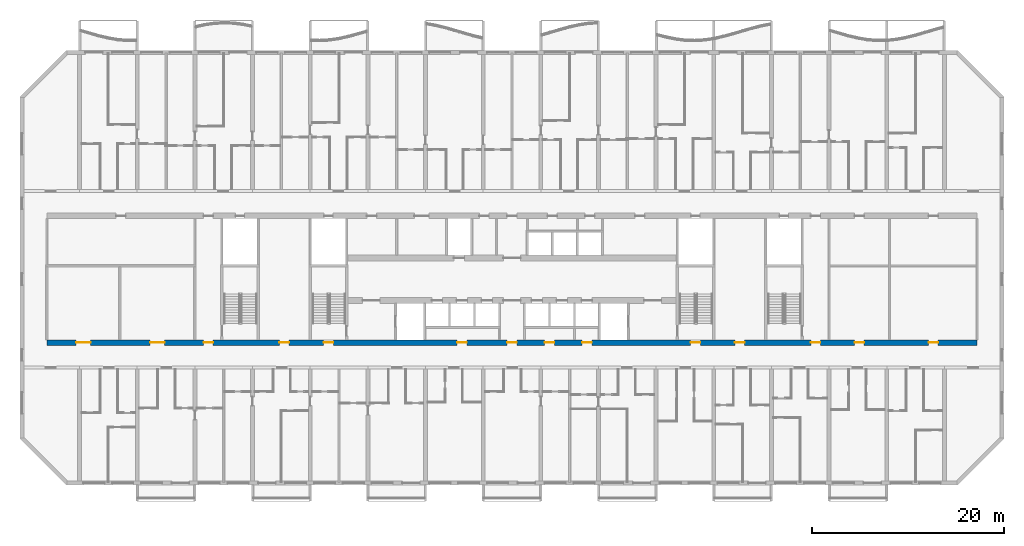
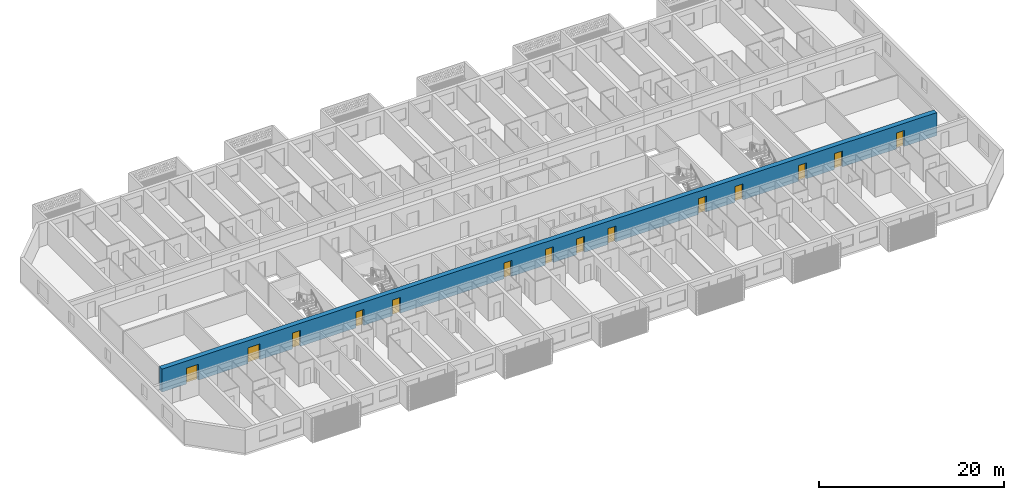
# One storey, part 7 of 38: 14 doors, 1 wall, 14 openings.
"""IFC4 building model written with IfcOpenShell, lengths in metres."""

from ifc_helpers import new_model, si_unit, direction, frame, frame_2d, origin, place, context, subcontext, project, spatial, rectangle, extrude, material, layer, layer_set, type_object, element, fill, save


model = new_model("IFC4")

# Units and contexts
model_context = context("Model", 3, precision=1e-05, world=origin(), true_north=direction((0.0, 1.0)))
body_context = subcontext(model_context, "Body", "Model", "MODEL_VIEW")
ifc_project = project(units=[si_unit("LENGTHUNIT", "METRE"), si_unit("AREAUNIT", "SQUARE_METRE"), si_unit("VOLUMEUNIT", "CUBIC_METRE"), si_unit("PLANEANGLEUNIT", "RADIAN"), si_unit("MASSUNIT", "GRAM", prefix="KILO")], contexts=[model_context])

# Site, building, storey
site_placement = place(None, origin())
site = spatial("IfcSite", under=ifc_project, at=site_placement, CompositionType="ELEMENT")
building_placement = place(site_placement, origin())
building = spatial("IfcBuilding", under=site, at=building_placement, Name="Poui Terraces", CompositionType="ELEMENT")
storey_placement = place(building_placement, frame((0.0, 0.0, 43.199951171875)))
storey = spatial("IfcBuildingStorey", under=building, at=storey_placement, Name="L11", CompositionType="ELEMENT", Elevation=43.199951171875)

# Wall, openings, doors
ifc_material_1 = material(Name="Concrete 80 MPa", Category="concrete")
ifc_layer = layer(ifc_material_1, 0.60009765625)
ifc_layer_set = layer_set([ifc_layer], Name="Concrete 80 MPa")
wall_type = type_object("IfcWallType", Name="SPINE WALL 600 80 MPA", PredefinedType="SOLIDWALL", material=ifc_layer_set)
wall_placement = place(storey_placement, frame((2.60009765625, 14.60009765625, 0.0), z_axis=(0.0, 0.0, 1.0), x_axis=(1.0, 0.0, 0.0)))
wall = element("IfcWall", 1, at=wall_placement, inside=storey, type_object=wall_type, Name="SPINE WALL", PredefinedType="SOLIDWALL", context=body_context, shape_type="SweptSolid", body=[
    extrude(rectangle(XDim=96.7998046875, YDim=0.60009765625, at=frame_2d((48.39990234375, 0.0))), origin(), (0.0, 0.0, 1.0), 3.050048828125),
])
opening_1_placement = place(wall_placement, frame((3.050048828125, 0.0, 0.0)))
opening_1 = element("IfcOpeningElement", 2, at=opening_1_placement, cuts=wall, Name="Opening FDP", PredefinedType="OPENING", context=body_context, shape_type="SweptSolid", body=[
    extrude(rectangle(XDim=1.5, YDim=2.10009765625, at=frame_2d((0.75, 1.050048828125))), frame((0.0, 0.31005859375, 0.0), z_axis=(0.0, -1.0, 0.0), x_axis=(1.0, 0.0, 0.0)), (0.0, 0.0, 1.0), 0.6201171875),
])
opening_2_placement = place(wall_placement, frame((10.75, 0.0, 0.0)))
opening_2 = element("IfcOpeningElement", 3, at=opening_2_placement, cuts=wall, Name="Opening FDP", PredefinedType="OPENING", context=body_context, shape_type="SweptSolid", body=[
    extrude(rectangle(XDim=1.5, YDim=2.10009765625, at=frame_2d((0.75, 1.050048828125))), frame((0.0, 0.31005859375, 0.0), z_axis=(0.0, -1.0, 0.0), x_axis=(1.0, 0.0, 0.0)), (0.0, 0.0, 1.0), 0.6201171875),
])
opening_3_placement = place(wall_placement, frame((16.300048828125, 0.0, 0.0)))
opening_3 = element("IfcOpeningElement", 4, at=opening_3_placement, cuts=wall, Name="Opening FDL", PredefinedType="OPENING", context=body_context, shape_type="SweptSolid", body=[
    extrude(rectangle(XDim=1.0, YDim=2.10009765625, at=frame_2d((0.5, 1.050048828125))), frame((0.0, 0.31005859375, 0.0), z_axis=(0.0, -1.0, 0.0), x_axis=(1.0, 0.0, 0.0)), (0.0, 0.0, 1.0), 0.6201171875),
])
opening_4_placement = place(wall_placement, frame((24.199951171875, 0.0, 0.0)))
opening_4 = element("IfcOpeningElement", 5, at=opening_4_placement, cuts=wall, Name="Opening D100", PredefinedType="OPENING", context=body_context, shape_type="SweptSolid", body=[
    extrude(rectangle(XDim=1.0, YDim=2.10009765625, at=frame_2d((0.5, 1.050048828125))), frame((0.0, 0.31005859375, 0.0), z_axis=(0.0, -1.0, 0.0), x_axis=(1.0, 0.0, 0.0)), (0.0, 0.0, 1.0), 0.6201171875),
])
opening_5_placement = place(wall_placement, frame((28.800048828125, 0.0, 0.0)))
opening_5 = element("IfcOpeningElement", 6, at=opening_5_placement, cuts=wall, Name="Opening FD60S", PredefinedType="OPENING", context=body_context, shape_type="SweptSolid", body=[
    extrude(rectangle(XDim=1.0, YDim=2.10009765625, at=frame_2d((0.5, 1.050048828125))), frame((0.0, 0.31005859375, 0.0), z_axis=(0.0, -1.0, 0.0), x_axis=(1.0, 0.0, 0.0)), (0.0, 0.0, 1.0), 0.6201171875),
])
opening_6_placement = place(wall_placement, frame((42.699951171875, 0.0, 0.0)))
opening_6 = element("IfcOpeningElement", 7, at=opening_6_placement, cuts=wall, Name="Opening FD60", PredefinedType="OPENING", context=body_context, shape_type="SweptSolid", body=[
    extrude(rectangle(XDim=1.0, YDim=2.10009765625, at=frame_2d((0.5, 1.050048828125))), frame((0.0, 0.31005859375, 0.0), z_axis=(0.0, -1.0, 0.0), x_axis=(1.0, 0.0, 0.0)), (0.0, 0.0, 1.0), 0.6201171875),
])
opening_7_placement = place(wall_placement, frame((47.89990234375, 0.0, 0.0)))
opening_7 = element("IfcOpeningElement", 8, at=opening_7_placement, cuts=wall, Name="Opening FDL", PredefinedType="OPENING", context=body_context, shape_type="SweptSolid", body=[
    extrude(rectangle(XDim=1.0, YDim=2.10009765625, at=frame_2d((0.5, 1.050048828125))), frame((0.0, 0.31005859375, 0.0), z_axis=(0.0, -1.0, 0.0), x_axis=(1.0, 0.0, 0.0)), (0.0, 0.0, 1.0), 0.6201171875),
])
opening_8_placement = place(wall_placement, frame((51.800048828125, 0.0, 0.0)))
opening_8 = element("IfcOpeningElement", 9, at=opening_8_placement, cuts=wall, Name="Opening FD60", PredefinedType="OPENING", context=body_context, shape_type="SweptSolid", body=[
    extrude(rectangle(XDim=1.0, YDim=2.10009765625, at=frame_2d((0.5, 1.050048828125))), frame((0.0, 0.31005859375, 0.0), z_axis=(0.0, -1.0, 0.0), x_axis=(1.0, 0.0, 0.0)), (0.0, 0.0, 1.0), 0.6201171875),
])
opening_9_placement = place(wall_placement, frame((55.699951171875, 0.0, 0.0)))
opening_9 = element("IfcOpeningElement", 10, at=opening_9_placement, cuts=wall, Name="Opening FD60", PredefinedType="OPENING", context=body_context, shape_type="SweptSolid", body=[
    extrude(rectangle(XDim=1.0, YDim=2.10009765625, at=frame_2d((0.5, 1.050048828125))), frame((0.0, 0.31005859375, 0.0), z_axis=(0.0, -1.0, 0.0), x_axis=(1.0, 0.0, 0.0)), (0.0, 0.0, 1.0), 0.6201171875),
])
opening_10_placement = place(wall_placement, frame((67.0, 0.0, 0.0)))
opening_10 = element("IfcOpeningElement", 11, at=opening_10_placement, cuts=wall, Name="Opening FD60S", PredefinedType="OPENING", context=body_context, shape_type="SweptSolid", body=[
    extrude(rectangle(XDim=1.0, YDim=2.10009765625, at=frame_2d((0.5, 1.050048828125))), frame((0.0, 0.31005859375, 0.0), z_axis=(0.0, -1.0, 0.0), x_axis=(1.0, 0.0, 0.0)), (0.0, 0.0, 1.0), 0.6201171875),
])
opening_11_placement = place(wall_placement, frame((71.60009765625, 0.0, 0.0)))
opening_11 = element("IfcOpeningElement", 12, at=opening_11_placement, cuts=wall, Name="Opening D100", PredefinedType="OPENING", context=body_context, shape_type="SweptSolid", body=[
    extrude(rectangle(XDim=1.0, YDim=2.10009765625, at=frame_2d((0.5, 1.050048828125))), frame((0.0, 0.31005859375, 0.0), z_axis=(0.0, -1.0, 0.0), x_axis=(1.0, 0.0, 0.0)), (0.0, 0.0, 1.0), 0.6201171875),
])
opening_12_placement = place(wall_placement, frame((79.5, 0.0, 0.0)))
opening_12 = element("IfcOpeningElement", 13, at=opening_12_placement, cuts=wall, Name="Opening FDL", PredefinedType="OPENING", context=body_context, shape_type="SweptSolid", body=[
    extrude(rectangle(XDim=1.0, YDim=2.10009765625, at=frame_2d((0.5, 1.050048828125))), frame((0.0, 0.31005859375, 0.0), z_axis=(0.0, -1.0, 0.0), x_axis=(1.0, 0.0, 0.0)), (0.0, 0.0, 1.0), 0.6201171875),
])
opening_13_placement = place(wall_placement, frame((84.050048828125, 0.0, 0.0)))
opening_13 = element("IfcOpeningElement", 14, at=opening_13_placement, cuts=wall, Name="Opening FD60", PredefinedType="OPENING", context=body_context, shape_type="SweptSolid", body=[
    extrude(rectangle(XDim=1.0, YDim=2.10009765625, at=frame_2d((0.5, 1.050048828125))), frame((0.0, 0.31005859375, 0.0), z_axis=(0.0, -1.0, 0.0), x_axis=(1.0, 0.0, 0.0)), (0.0, 0.0, 1.0), 0.6201171875),
])
opening_14_placement = place(wall_placement, frame((91.75, 0.0, 0.0)))
opening_14 = element("IfcOpeningElement", 15, at=opening_14_placement, cuts=wall, Name="Opening FD60", PredefinedType="OPENING", context=body_context, shape_type="SweptSolid", body=[
    extrude(rectangle(XDim=1.0, YDim=2.10009765625, at=frame_2d((0.5, 1.050048828125))), frame((0.0, 0.31005859375, 0.0), z_axis=(0.0, -1.0, 0.0), x_axis=(1.0, 0.0, 0.0)), (0.0, 0.0, 1.0), 0.6201171875),
])
ifc_material_2 = material(Name="Solid core timber door", Category="wood")
door_type_1 = type_object("IfcDoorType", Name="ACCESSIBLE INTERNAL DOOR 1000 X 2100", OperationType="NOTDEFINED", PredefinedType="DOOR", material=ifc_material_2)
door_1_placement = place(opening_4_placement, frame((1.0, 0.0, 0.0), z_axis=(0.0, 0.0, 1.0), x_axis=(-1.0, 0.0, 0.0)))
door_1 = element("IfcDoor", 16, at=door_1_placement, inside=storey, type_object=door_type_1, Name="ACCESSIBLE INTERNAL DOOR 020", OperationType="SINGLE_SWING_RIGHT", OverallHeight=2.10009765625, OverallWidth=1.0, PredefinedType="DOOR", context=body_context, shape_type="SweptSolid", body=[
    extrude(rectangle(XDim=1.0, YDim=2.10009765625, at=frame_2d((0.5, 1.050048828125))), frame((0.0, 0.02490234375, 0.0), z_axis=(0.0, -1.0, 0.0), x_axis=(1.0, 0.0, 0.0)), (0.0, 0.0, 1.0), 0.050048828125),
])
fill(opening_4, door_1)
door_2_placement = place(opening_11_placement, frame((1.0, 0.0, 0.0), z_axis=(0.0, 0.0, 1.0), x_axis=(-1.0, 0.0, 0.0)))
door_2 = element("IfcDoor", 17, at=door_2_placement, inside=storey, type_object=door_type_1, Name="ACCESSIBLE INTERNAL DOOR 027", OperationType="SINGLE_SWING_LEFT", OverallHeight=2.10009765625, OverallWidth=1.0, PredefinedType="DOOR", context=body_context, shape_type="SweptSolid", body=[
    extrude(rectangle(XDim=1.0, YDim=2.10009765625, at=frame_2d((0.5, 1.050048828125))), frame((0.0, 0.02490234375, 0.0), z_axis=(0.0, -1.0, 0.0), x_axis=(1.0, 0.0, 0.0)), (0.0, 0.0, 1.0), 0.050048828125),
])
fill(opening_11, door_2)
ifc_material_3 = material(Name="Steel fire door", Category="steel")
door_type_2 = type_object("IfcDoorType", Name="LOBBY FIRE DOOR 1000 X 2100", OperationType="NOTDEFINED", PredefinedType="DOOR", material=ifc_material_3)
door_3_placement = place(opening_3_placement, frame((1.0, 0.0, 0.0), z_axis=(0.0, 0.0, 1.0), x_axis=(-1.0, 0.0, 0.0)))
door_3 = element("IfcDoor", 18, at=door_3_placement, inside=storey, type_object=door_type_2, Name="LOBBY FIRE DOOR 019", OperationType="SINGLE_SWING_RIGHT", OverallHeight=2.10009765625, OverallWidth=1.0, PredefinedType="DOOR", context=body_context, shape_type="SweptSolid", body=[
    extrude(rectangle(XDim=1.0, YDim=2.10009765625, at=frame_2d((0.5, 1.050048828125))), frame((0.0, 0.02490234375, 0.0), z_axis=(0.0, -1.0, 0.0), x_axis=(1.0, 0.0, 0.0)), (0.0, 0.0, 1.0), 0.050048828125),
])
fill(opening_3, door_3)
door_4_placement = place(opening_7_placement, frame((1.0, 0.0, 0.0), z_axis=(0.0, 0.0, 1.0), x_axis=(-1.0, 0.0, 0.0)))
door_4 = element("IfcDoor", 19, at=door_4_placement, inside=storey, type_object=door_type_2, Name="LOBBY FIRE DOOR 023", OperationType="SINGLE_SWING_LEFT", OverallHeight=2.10009765625, OverallWidth=1.0, PredefinedType="DOOR", context=body_context, shape_type="SweptSolid", body=[
    extrude(rectangle(XDim=1.0, YDim=2.10009765625, at=frame_2d((0.5, 1.050048828125))), frame((0.0, 0.02490234375, 0.0), z_axis=(0.0, -1.0, 0.0), x_axis=(1.0, 0.0, 0.0)), (0.0, 0.0, 1.0), 0.050048828125),
])
fill(opening_7, door_4)
door_5_placement = place(opening_12_placement, frame((1.0, 0.0, 0.0), z_axis=(0.0, 0.0, 1.0), x_axis=(-1.0, 0.0, 0.0)))
door_5 = element("IfcDoor", 20, at=door_5_placement, inside=storey, type_object=door_type_2, Name="LOBBY FIRE DOOR 028", OperationType="SINGLE_SWING_LEFT", OverallHeight=2.10009765625, OverallWidth=1.0, PredefinedType="DOOR", context=body_context, shape_type="SweptSolid", body=[
    extrude(rectangle(XDim=1.0, YDim=2.10009765625, at=frame_2d((0.5, 1.050048828125))), frame((0.0, 0.02490234375, 0.0), z_axis=(0.0, -1.0, 0.0), x_axis=(1.0, 0.0, 0.0)), (0.0, 0.0, 1.0), 0.050048828125),
])
fill(opening_12, door_5)
door_type_3 = type_object("IfcDoorType", Name="PLANT ROOM DOOR PAIR 1500 X 2100", OperationType="DOUBLE_DOOR_SINGLE_SWING", PredefinedType="DOOR", material=ifc_material_3)
door_6_placement = place(opening_1_placement, frame((1.5, 0.0, 0.0), z_axis=(0.0, 0.0, 1.0), x_axis=(-1.0, 0.0, 0.0)))
door_6 = element("IfcDoor", 21, at=door_6_placement, inside=storey, type_object=door_type_3, Name="PLANT ROOM DOOR PAIR 017", OperationType="DOUBLE_DOOR_SINGLE_SWING", OverallHeight=2.10009765625, OverallWidth=1.5, PredefinedType="DOOR", context=body_context, shape_type="SweptSolid", body=[
    extrude(rectangle(XDim=1.5, YDim=2.10009765625, at=frame_2d((0.75, 1.050048828125))), frame((0.0, 0.02490234375, 0.0), z_axis=(0.0, -1.0, 0.0), x_axis=(1.0, 0.0, 0.0)), (0.0, 0.0, 1.0), 0.050048828125),
])
fill(opening_1, door_6)
door_7_placement = place(opening_2_placement, frame((1.5, 0.0, 0.0), z_axis=(0.0, 0.0, 1.0), x_axis=(-1.0, 0.0, 0.0)))
door_7 = element("IfcDoor", 22, at=door_7_placement, inside=storey, type_object=door_type_3, Name="PLANT ROOM DOOR PAIR 018", OperationType="DOUBLE_DOOR_SINGLE_SWING", OverallHeight=2.10009765625, OverallWidth=1.5, PredefinedType="DOOR", context=body_context, shape_type="SweptSolid", body=[
    extrude(rectangle(XDim=1.5, YDim=2.10009765625, at=frame_2d((0.75, 1.050048828125))), frame((0.0, 0.02490234375, 0.0), z_axis=(0.0, -1.0, 0.0), x_axis=(1.0, 0.0, 0.0)), (0.0, 0.0, 1.0), 0.050048828125),
])
fill(opening_2, door_7)
door_type_4 = type_object("IfcDoorType", Name="SERVICE ROOM FIRE DOOR 1000 X 2100", OperationType="NOTDEFINED", PredefinedType="DOOR", material=ifc_material_3)
door_8_placement = place(opening_6_placement, frame((1.0, 0.0, 0.0), z_axis=(0.0, 0.0, 1.0), x_axis=(-1.0, 0.0, 0.0)))
door_8 = element("IfcDoor", 23, at=door_8_placement, inside=storey, type_object=door_type_4, Name="SERVICE ROOM FIRE DOOR 022", OperationType="SINGLE_SWING_LEFT", OverallHeight=2.10009765625, OverallWidth=1.0, PredefinedType="DOOR", context=body_context, shape_type="SweptSolid", body=[
    extrude(rectangle(XDim=1.0, YDim=2.10009765625, at=frame_2d((0.5, 1.050048828125))), frame((0.0, 0.02490234375, 0.0), z_axis=(0.0, -1.0, 0.0), x_axis=(1.0, 0.0, 0.0)), (0.0, 0.0, 1.0), 0.050048828125),
])
fill(opening_6, door_8)
door_9_placement = place(opening_8_placement, frame((1.0, 0.0, 0.0), z_axis=(0.0, 0.0, 1.0), x_axis=(-1.0, 0.0, 0.0)))
door_9 = element("IfcDoor", 24, at=door_9_placement, inside=storey, type_object=door_type_4, Name="SERVICE ROOM FIRE DOOR 024", OperationType="SINGLE_SWING_RIGHT", OverallHeight=2.10009765625, OverallWidth=1.0, PredefinedType="DOOR", context=body_context, shape_type="SweptSolid", body=[
    extrude(rectangle(XDim=1.0, YDim=2.10009765625, at=frame_2d((0.5, 1.050048828125))), frame((0.0, 0.02490234375, 0.0), z_axis=(0.0, -1.0, 0.0), x_axis=(1.0, 0.0, 0.0)), (0.0, 0.0, 1.0), 0.050048828125),
])
fill(opening_8, door_9)
door_10_placement = place(opening_9_placement, frame((1.0, 0.0, 0.0), z_axis=(0.0, 0.0, 1.0), x_axis=(-1.0, 0.0, 0.0)))
door_10 = element("IfcDoor", 25, at=door_10_placement, inside=storey, type_object=door_type_4, Name="SERVICE ROOM FIRE DOOR 025", OperationType="SINGLE_SWING_LEFT", OverallHeight=2.10009765625, OverallWidth=1.0, PredefinedType="DOOR", context=body_context, shape_type="SweptSolid", body=[
    extrude(rectangle(XDim=1.0, YDim=2.10009765625, at=frame_2d((0.5, 1.050048828125))), frame((0.0, 0.02490234375, 0.0), z_axis=(0.0, -1.0, 0.0), x_axis=(1.0, 0.0, 0.0)), (0.0, 0.0, 1.0), 0.050048828125),
])
fill(opening_9, door_10)
door_11_placement = place(opening_13_placement, frame((1.0, 0.0, 0.0), z_axis=(0.0, 0.0, 1.0), x_axis=(-1.0, 0.0, 0.0)))
door_11 = element("IfcDoor", 26, at=door_11_placement, inside=storey, type_object=door_type_4, Name="SERVICE ROOM FIRE DOOR 029", OperationType="SINGLE_SWING_LEFT", OverallHeight=2.10009765625, OverallWidth=1.0, PredefinedType="DOOR", context=body_context, shape_type="SweptSolid", body=[
    extrude(rectangle(XDim=1.0, YDim=2.10009765625, at=frame_2d((0.5, 1.050048828125))), frame((0.0, 0.02490234375, 0.0), z_axis=(0.0, -1.0, 0.0), x_axis=(1.0, 0.0, 0.0)), (0.0, 0.0, 1.0), 0.050048828125),
])
fill(opening_13, door_11)
door_12_placement = place(opening_14_placement, frame((1.0, 0.0, 0.0), z_axis=(0.0, 0.0, 1.0), x_axis=(-1.0, 0.0, 0.0)))
door_12 = element("IfcDoor", 27, at=door_12_placement, inside=storey, type_object=door_type_4, Name="SERVICE ROOM FIRE DOOR 030", OperationType="SINGLE_SWING_RIGHT", OverallHeight=2.10009765625, OverallWidth=1.0, PredefinedType="DOOR", context=body_context, shape_type="SweptSolid", body=[
    extrude(rectangle(XDim=1.0, YDim=2.10009765625, at=frame_2d((0.5, 1.050048828125))), frame((0.0, 0.02490234375, 0.0), z_axis=(0.0, -1.0, 0.0), x_axis=(1.0, 0.0, 0.0)), (0.0, 0.0, 1.0), 0.050048828125),
])
fill(opening_14, door_12)
door_type_5 = type_object("IfcDoorType", Name="STAIR DOOR 1000 X 2100", OperationType="NOTDEFINED", PredefinedType="DOOR", material=ifc_material_3)
door_13_placement = place(opening_5_placement, origin())
door_13 = element("IfcDoor", 28, at=door_13_placement, inside=storey, type_object=door_type_5, Name="STAIR DOOR 021", OperationType="SINGLE_SWING_RIGHT", OverallHeight=2.10009765625, OverallWidth=1.0, PredefinedType="DOOR", context=body_context, shape_type="SweptSolid", body=[
    extrude(rectangle(XDim=1.0, YDim=2.10009765625, at=frame_2d((0.5, 1.050048828125))), frame((0.0, 0.02490234375, 0.0), z_axis=(0.0, -1.0, 0.0), x_axis=(1.0, 0.0, 0.0)), (0.0, 0.0, 1.0), 0.050048828125),
])
fill(opening_5, door_13)
door_14_placement = place(opening_10_placement, origin())
door_14 = element("IfcDoor", 29, at=door_14_placement, inside=storey, type_object=door_type_5, Name="STAIR DOOR 026", OperationType="SINGLE_SWING_RIGHT", OverallHeight=2.10009765625, OverallWidth=1.0, PredefinedType="DOOR", context=body_context, shape_type="SweptSolid", body=[
    extrude(rectangle(XDim=1.0, YDim=2.10009765625, at=frame_2d((0.5, 1.050048828125))), frame((0.0, 0.02490234375, 0.0), z_axis=(0.0, -1.0, 0.0), x_axis=(1.0, 0.0, 0.0)), (0.0, 0.0, 1.0), 0.050048828125),
])
fill(opening_10, door_14)

save(model, "model.ifc")
